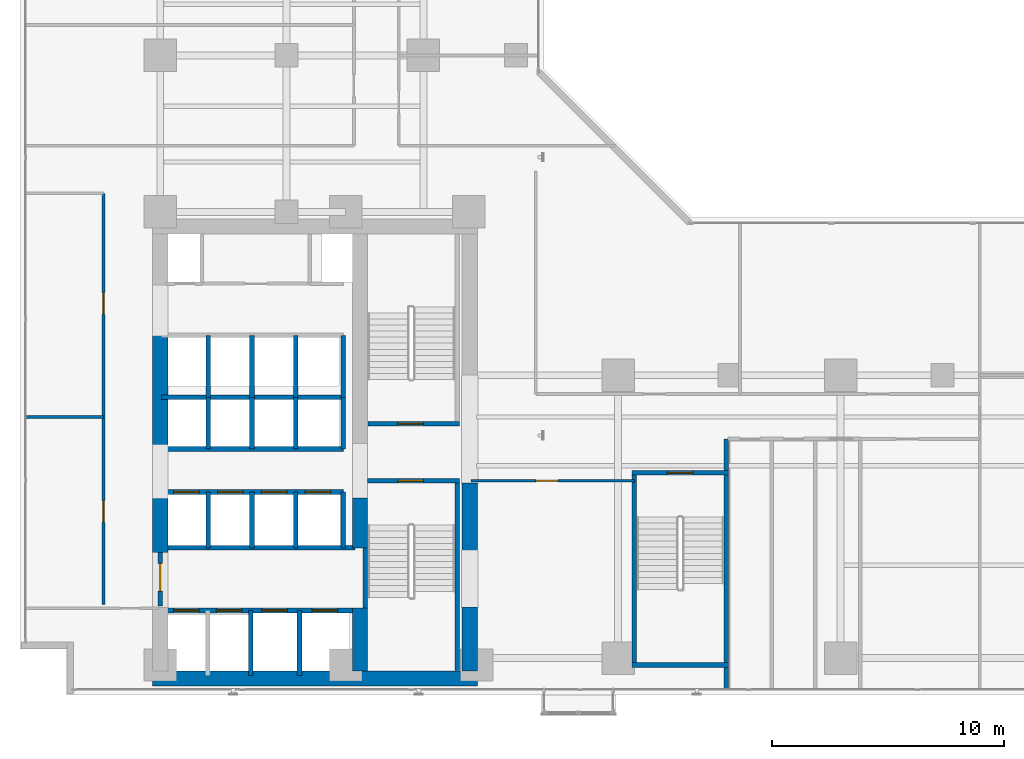
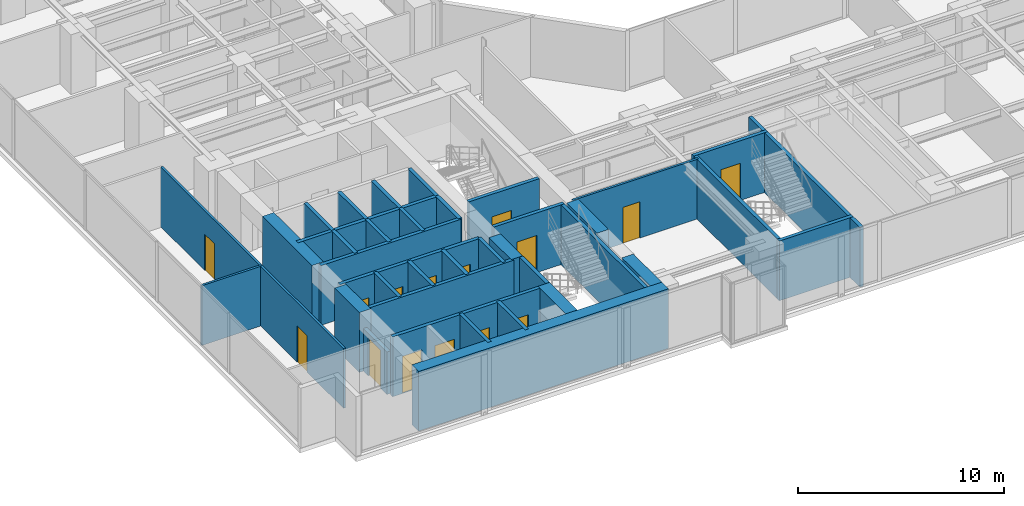
# One storey, part 19 of 24: 38 walls, 15 doors, 15 openings.
"""IFC4 building model written with IfcOpenShell, lengths in metres."""

from ifc_helpers import new_model, si_unit, direction, frame, frame_2d, origin, place, context, subcontext, project, spatial, rectangle, extrude, material, layer, layer_set, type_object, element, fill, save


model = new_model("IFC4")

# Units and contexts
model_context = context("Model", 3, precision=1e-05, world=origin(), true_north=direction((0.0, 1.0)))
body_context = subcontext(model_context, "Body", "Model", "MODEL_VIEW")
ifc_project = project(units=[si_unit("LENGTHUNIT", "METRE"), si_unit("AREAUNIT", "SQUARE_METRE"), si_unit("VOLUMEUNIT", "CUBIC_METRE"), si_unit("PLANEANGLEUNIT", "RADIAN"), si_unit("MASSUNIT", "GRAM", prefix="KILO")], contexts=[model_context])

# Site, building, storey
site_placement = place(None, origin())
site = spatial("IfcSite", under=ifc_project, at=site_placement, CompositionType="ELEMENT")
building_placement = place(site_placement, origin())
building = spatial("IfcBuilding", under=site, at=building_placement, Name="Kolvaren Waterfront Exchange", CompositionType="ELEMENT")
storey_placement = place(building_placement, frame((0.0, 0.0, 91.699951171875)))
storey = spatial("IfcBuildingStorey", under=building, at=storey_placement, Name="L23", CompositionType="ELEMENT", Elevation=91.699951171875)

# Wall, opening, door
ifc_material_1 = material(Name="Precast concrete C40/50", Category="concrete")
ifc_layer_1 = layer(ifc_material_1, 0.199951171875, Name="Precast concrete C40/50")
ifc_layer_set_1 = layer_set([ifc_layer_1], Name="Precast concrete C40/50")
wall_type_1 = type_object("IfcWallType", Name="ARC-FIRE-200", PredefinedType="PARTITIONING", material=ifc_layer_set_1)
wall_1_placement = place(storey_placement, frame((16.39990234375, 12.85009765625, 0.0), z_axis=(0.0, 0.0, 1.0), x_axis=(1.0, 0.0, 0.0)))
wall_1 = element("IfcWall", 1, at=wall_1_placement, inside=storey, type_object=wall_type_1, Name="L23 interior wall PW-L23-ST1-THROAT-S", PredefinedType="PARTITIONING", context=body_context, shape_type="SweptSolid", body=[
    extrude(rectangle(XDim=3.960205078125, YDim=0.199951171875, at=frame_2d((1.97998046875, 0.0))), origin(), (0.0, 0.0, 1.0), 3.5400390625),
])
opening_1_placement = place(wall_1_placement, frame((1.3037109375, 0.0, 0.0)))
opening_1 = element("IfcOpeningElement", 2, at=opening_1_placement, cuts=wall_1, Name="Opening FD2", PredefinedType="OPENING", context=body_context, shape_type="SweptSolid", body=[
    extrude(rectangle(XDim=1.10009765625, YDim=2.199951171875, at=frame_2d((0.550048828125, 1.10009765625))), frame((0.0, 0.10986328125, 0.0), z_axis=(0.0, -1.0, 0.0), x_axis=(1.0, 0.0, 0.0)), (0.0, 0.0, 1.0), 0.219970703125),
])
ifc_material_2 = material(Name="Pressed steel smoke-seal fire door", Category="steel")
door_type_1 = type_object("IfcDoorType", Name="ARC-FD-1100", OperationType="NOTDEFINED", PredefinedType="DOOR", material=ifc_material_2)
door_1_placement = place(opening_1_placement, frame((1.10009765625, 0.0, 0.0), z_axis=(0.0, 0.0, 1.0), x_axis=(-1.0, 0.0, 0.0)))
door_1 = element("IfcDoor", 3, at=door_1_placement, inside=storey, type_object=door_type_1, Name="L23 door DR-L23-ST1-IN (FD2)", OperationType="SINGLE_SWING_LEFT", OverallHeight=2.199951171875, OverallWidth=1.10009765625, PredefinedType="DOOR", context=body_context, shape_type="SweptSolid", body=[
    extrude(rectangle(XDim=1.10009765625, YDim=2.199951171875, at=frame_2d((0.550048828125, 1.10009765625))), frame((0.0, 0.02490234375, 0.0), z_axis=(0.0, -1.0, 0.0), x_axis=(1.0, 0.0, 0.0)), (0.0, 0.0, 1.0), 0.050048828125),
])
fill(opening_1, door_1)

wall_2_placement = place(storey_placement, frame((16.409912109375, 15.300048828125, 0.0), z_axis=(0.0, 0.0, 1.0), x_axis=(1.0, 0.0, 0.0)))
wall_2 = element("IfcWall", 4, at=wall_2_placement, inside=storey, type_object=wall_type_1, Name="L23 interior wall PW-L23-ST2-THROAT-N", PredefinedType="PARTITIONING", context=body_context, shape_type="SweptSolid", body=[
    extrude(rectangle(XDim=3.9501953125, YDim=0.199951171875, at=frame_2d((1.97509765625, 0.0))), origin(), (0.0, 0.0, 1.0), 3.5400390625),
])
opening_2_placement = place(wall_2_placement, frame((1.293701171875, 0.0, 0.0)))
opening_2 = element("IfcOpeningElement", 5, at=opening_2_placement, cuts=wall_2, Name="Opening FD2", PredefinedType="OPENING", context=body_context, shape_type="SweptSolid", body=[
    extrude(rectangle(XDim=1.10009765625, YDim=2.199951171875, at=frame_2d((0.550048828125, 1.10009765625))), frame((0.0, 0.10986328125, 0.0), z_axis=(0.0, -1.0, 0.0), x_axis=(1.0, 0.0, 0.0)), (0.0, 0.0, 1.0), 0.219970703125),
])
door_2_placement = place(opening_2_placement, origin())
door_2 = element("IfcDoor", 6, at=door_2_placement, inside=storey, type_object=door_type_1, Name="L23 door DR-L23-ST2-IN (FD2)", OperationType="SINGLE_SWING_RIGHT", OverallHeight=2.199951171875, OverallWidth=1.10009765625, PredefinedType="DOOR", context=body_context, shape_type="SweptSolid", body=[
    extrude(rectangle(XDim=1.10009765625, YDim=2.199951171875, at=frame_2d((0.550048828125, 1.10009765625))), frame((0.0, 0.02490234375, 0.0), z_axis=(0.0, -1.0, 0.0), x_axis=(1.0, 0.0, 0.0)), (0.0, 0.0, 1.0), 0.050048828125),
])
fill(opening_2, door_2)

# Wall
wall_3_placement = place(storey_placement, frame((7.5, 9.949951171875, 0.0), z_axis=(0.0, 0.0, 1.0), x_axis=(1.0, 0.0, 0.0)))
element("IfcWall", 7, at=wall_3_placement, inside=storey, type_object=wall_type_1, Name="L23 interior wall PW-L23-FF-N", PredefinedType="PARTITIONING", context=body_context, shape_type="SweptSolid", body=[
    extrude(rectangle(XDim=8.35009765625, YDim=0.199951171875, at=frame_2d((4.175048828125, 0.0))), origin(), (0.0, 0.0, 1.0), 3.5400390625),
])

# Wall, opening, door
wall_4_placement = place(storey_placement, frame((7.449951171875, 7.449951171875, 0.0), z_axis=(0.0, 0.0, 1.0), x_axis=(0.0, 1.0, 0.0)))
wall_4 = element("IfcWall", 8, at=wall_4_placement, inside=storey, type_object=wall_type_1, Name="L23 interior wall PW-L23-FF-W-DOOR", PredefinedType="PARTITIONING", context=body_context, shape_type="SweptSolid", body=[
    extrude(rectangle(XDim=2.300048828125, YDim=0.199951171875, at=frame_2d((1.14990234375, 0.0))), origin(), (0.0, 0.0, 1.0), 2.52001953125),
])
opening_3_placement = place(wall_4_placement, frame((0.63330078125, 0.0, 0.0)))
opening_3 = element("IfcOpeningElement", 9, at=opening_3_placement, cuts=wall_4, Name="Opening FD3", PredefinedType="OPENING", context=body_context, shape_type="SweptSolid", body=[
    extrude(rectangle(XDim=1.199951171875, YDim=2.25, at=frame_2d((0.60009765625, 1.125))), frame((0.0, 0.10986328125, 0.0), z_axis=(0.0, -1.0, 0.0), x_axis=(1.0, 0.0, 0.0)), (0.0, 0.0, 1.0), 0.219970703125),
])
ifc_material_3 = material(Name="Pressed steel fire door", Category="steel")
door_type_2 = type_object("IfcDoorType", Name="ARC-FD-1200", OperationType="NOTDEFINED", PredefinedType="DOOR", material=ifc_material_3)
door_3_placement = place(opening_3_placement, frame((1.199951171875, 0.0, 0.0), z_axis=(0.0, 0.0, 1.0), x_axis=(-1.0, 0.0, 0.0)))
door_3 = element("IfcDoor", 10, at=door_3_placement, inside=storey, type_object=door_type_2, Name="L23 door DR-L23-FF-OUT (FD3)", OperationType="SINGLE_SWING_RIGHT", OverallHeight=2.25, OverallWidth=1.199951171875, PredefinedType="DOOR", context=body_context, shape_type="SweptSolid", body=[
    extrude(rectangle(XDim=1.199951171875, YDim=2.25, at=frame_2d((0.60009765625, 1.125))), frame((0.0, 0.02490234375, 0.0), z_axis=(0.0, -1.0, 0.0), x_axis=(1.0, 0.0, 0.0)), (0.0, 0.0, 1.0), 0.050048828125),
])
fill(opening_3, door_3)

# Wall, openings, doors
ifc_material_4 = material(Name="Acoustic gypsum steel stud", Category="steel")
ifc_layer_2 = layer(ifc_material_4, 0.125, Name="Acoustic gypsum steel stud")
ifc_layer_set_2 = layer_set([ifc_layer_2], Name="Acoustic gypsum steel stud")
wall_type_2 = type_object("IfcWallType", Name="ARC-PART-125", PredefinedType="PARTITIONING", material=ifc_layer_set_2)
wall_5_placement = place(storey_placement, frame((5.0, 7.5, 0.0), z_axis=(0.0, 0.0, 1.0), x_axis=(0.0, 1.0, 0.0)))
wall_5 = element("IfcWall", 11, at=wall_5_placement, inside=storey, type_object=wall_type_2, Name="L23 interior wall PW-L23-WFLANK-E", PredefinedType="PARTITIONING", context=body_context, shape_type="SweptSolid", body=[
    extrude(rectangle(XDim=17.75, YDim=0.125, at=frame_2d((8.875, 0.0))), origin(), (0.0, 0.0, 1.0), 3.5400390625),
])
opening_4_placement = place(wall_5_placement, frame((3.550048828125, 0.0, 0.0)))
opening_4 = element("IfcOpeningElement", 12, at=opening_4_placement, cuts=wall_5, Name="Opening D02", PredefinedType="OPENING", context=body_context, shape_type="SweptSolid", body=[
    extrude(rectangle(XDim=0.949951171875, YDim=2.14990234375, at=frame_2d((0.47509765625, 1.074951171875))), frame((0.0, 0.072509765625, 0.0), z_axis=(0.0, -1.0, 0.0), x_axis=(1.0, 0.0, 0.0)), (0.0, 0.0, 1.0), 0.14501953125),
])
opening_5_placement = place(wall_5_placement, frame((12.52099609375, 0.0, 0.0)))
opening_5 = element("IfcOpeningElement", 13, at=opening_5_placement, cuts=wall_5, Name="Opening D02", PredefinedType="OPENING", context=body_context, shape_type="SweptSolid", body=[
    extrude(rectangle(XDim=0.949951171875, YDim=2.14990234375, at=frame_2d((0.47509765625, 1.074951171875))), frame((0.0, 0.072509765625, 0.0), z_axis=(0.0, -1.0, 0.0), x_axis=(1.0, 0.0, 0.0)), (0.0, 0.0, 1.0), 0.14501953125),
])
ifc_material_5 = material(Name="Oak veneer acoustic timber", Category="wood")
door_type_3 = type_object("IfcDoorType", Name="ARC-DR-950", OperationType="NOTDEFINED", PredefinedType="DOOR", material=ifc_material_5)
door_4_placement = place(opening_4_placement, origin())
door_4 = element("IfcDoor", 14, at=door_4_placement, inside=storey, type_object=door_type_3, Name="L23 door DR-L23-WFL1-D (D02)", OperationType="SINGLE_SWING_LEFT", OverallHeight=2.14990234375, OverallWidth=0.949951171875, PredefinedType="DOOR", context=body_context, shape_type="SweptSolid", body=[
    extrude(rectangle(XDim=0.949951171875, YDim=2.14990234375, at=frame_2d((0.47509765625, 1.074951171875))), frame((0.0, 0.02490234375, 0.0), z_axis=(0.0, -1.0, 0.0), x_axis=(1.0, 0.0, 0.0)), (0.0, 0.0, 1.0), 0.050048828125),
])
fill(opening_4, door_4)
door_5_placement = place(opening_5_placement, origin())
door_5 = element("IfcDoor", 15, at=door_5_placement, inside=storey, type_object=door_type_3, Name="L23 door DR-L23-WFL2-D (D02)", OperationType="SINGLE_SWING_RIGHT", OverallHeight=2.14990234375, OverallWidth=0.949951171875, PredefinedType="DOOR", context=body_context, shape_type="SweptSolid", body=[
    extrude(rectangle(XDim=0.949951171875, YDim=2.14990234375, at=frame_2d((0.47509765625, 1.074951171875))), frame((0.0, 0.02490234375, 0.0), z_axis=(0.0, -1.0, 0.0), x_axis=(1.0, 0.0, 0.0)), (0.0, 0.0, 1.0), 0.050048828125),
])
fill(opening_5, door_5)

# Wall
wall_6_placement = place(storey_placement, frame((1.639892578125, 15.60009765625, 0.0), z_axis=(0.0, 0.0, 1.0), x_axis=(1.0, 0.0, 0.0)))
element("IfcWall", 16, at=wall_6_placement, inside=storey, type_object=wall_type_2, Name="L23 interior wall PW-L23-WFLANK-MID", PredefinedType="PARTITIONING", context=body_context, shape_type="SweptSolid", body=[
    extrude(rectangle(XDim=3.360107421875, YDim=0.125, at=frame_2d((1.68017578125, 0.0))), origin(), (0.0, 0.0, 1.0), 3.5400390625),
])

# Wall, opening, door
wall_7_placement = place(storey_placement, frame((20.85009765625, 12.85009765625, 0.0), z_axis=(0.0, 0.0, 1.0), x_axis=(1.0, 0.0, 0.0)))
wall_7 = element("IfcWall", 17, at=wall_7_placement, inside=storey, type_object=wall_type_2, Name="L23 interior wall PW-L23-SWST3-N", PredefinedType="PARTITIONING", context=body_context, shape_type="SweptSolid", body=[
    extrude(rectangle(XDim=7.0498046875, YDim=0.125, at=frame_2d((3.52490234375, 0.0))), origin(), (0.0, 0.0, 1.0), 3.5400390625),
])
opening_6_placement = place(wall_7_placement, frame((2.800048828125, 0.0, 0.0)))
opening_6 = element("IfcOpeningElement", 18, at=opening_6_placement, cuts=wall_7, Name="Opening D02", PredefinedType="OPENING", context=body_context, shape_type="SweptSolid", body=[
    extrude(rectangle(XDim=0.949951171875, YDim=2.14990234375, at=frame_2d((0.47509765625, 1.074951171875))), frame((0.0, 0.072509765625, 0.0), z_axis=(0.0, -1.0, 0.0), x_axis=(1.0, 0.0, 0.0)), (0.0, 0.0, 1.0), 0.14501953125),
])
door_6_placement = place(opening_6_placement, origin())
door_6 = element("IfcDoor", 19, at=door_6_placement, inside=storey, type_object=door_type_3, Name="L23 door DR-L23-SWST3-D (D02)", OperationType="SINGLE_SWING_LEFT", OverallHeight=2.14990234375, OverallWidth=0.949951171875, PredefinedType="DOOR", context=body_context, shape_type="SweptSolid", body=[
    extrude(rectangle(XDim=0.949951171875, YDim=2.14990234375, at=frame_2d((0.47509765625, 1.074951171875))), frame((0.0, 0.02490234375, 0.0), z_axis=(0.0, -1.0, 0.0), x_axis=(1.0, 0.0, 0.0)), (0.0, 0.0, 1.0), 0.050048828125),
])
fill(opening_6, door_6)

# Walls
ifc_material_6 = material(Name="Concrete C40/50", Category="concrete")
ifc_layer_3 = layer(ifc_material_6, 0.199951171875, Name="Concrete C40/50")
ifc_layer_set_3 = layer_set([ifc_layer_3], Name="Concrete C40/50")
wall_type_3 = type_object("IfcWallType", Name="ARC-SHAFT-200", PredefinedType="PARTITIONING", material=ifc_layer_set_3)
wall_8_placement = place(storey_placement, frame((16.300048828125, 7.360107421875, 0.0), z_axis=(0.0, 0.0, 1.0), x_axis=(0.0, 1.0, 0.0)))
element("IfcWall", 20, at=wall_8_placement, inside=storey, type_object=wall_type_3, Name="L23 structural stairwell wall PW-L23-ST1-W", PredefinedType="SHEAR", context=body_context, shape_type="SweptSolid", body=[
    extrude(rectangle(XDim=2.579833984375, YDim=0.199951171875, at=frame_2d((1.2900390625, 0.0))), origin(), (0.0, 0.0, 1.0), 3.5400390625),
])
wall_9_placement = place(storey_placement, frame((20.260009765625, 4.659912109375, 0.0), z_axis=(0.0, 0.0, 1.0), x_axis=(0.0, 1.0, 0.0)))
element("IfcWall", 21, at=wall_9_placement, inside=storey, type_object=wall_type_3, Name="L23 structural stairwell wall PW-L23-ST1-E", PredefinedType="SHEAR", context=body_context, shape_type="SweptSolid", body=[
    extrude(rectangle(XDim=8.090087890625, YDim=0.199951171875, at=frame_2d((4.044921875, 0.0))), origin(), (0.0, 0.0, 1.0), 3.5400390625),
])
wall_10_placement = place(storey_placement, frame((27.89990234375, 5.0, 0.0), z_axis=(0.0, 0.0, 1.0), x_axis=(0.0, 1.0, 0.0)))
element("IfcWall", 22, at=wall_10_placement, inside=storey, type_object=wall_type_3, Name="L23 structural stairwell wall PW-L23-ST3-W", PredefinedType="SHEAR", context=body_context, shape_type="SweptSolid", body=[
    extrude(rectangle(XDim=8.10009765625, YDim=0.199951171875, at=frame_2d((4.050048828125, 0.0))), origin(), (0.0, 0.0, 1.0), 3.5400390625),
])
wall_11_placement = place(storey_placement, frame((31.860107421875, 3.840087890625, 0.0), z_axis=(0.0, 0.0, 1.0), x_axis=(0.0, 1.0, 0.0)))
element("IfcWall", 23, at=wall_11_placement, inside=storey, type_object=wall_type_3, Name="L23 structural stairwell wall PW-L23-ST3-E", PredefinedType="SHEAR", context=body_context, shape_type="SweptSolid", body=[
    extrude(rectangle(XDim=10.809814453125, YDim=0.199951171875, at=frame_2d((5.40478515625, 0.0))), origin(), (0.0, 0.0, 1.0), 3.5400390625),
])
wall_12_placement = place(storey_placement, frame((27.800048828125, 4.89990234375, 0.0), z_axis=(0.0, 0.0, 1.0), x_axis=(1.0, 0.0, 0.0)))
element("IfcWall", 24, at=wall_12_placement, inside=storey, type_object=wall_type_3, Name="L23 structural stairwell wall PW-L23-ST3-S", PredefinedType="SHEAR", context=body_context, shape_type="SweptSolid", body=[
    extrude(rectangle(XDim=4.159912109375, YDim=0.199951171875, at=frame_2d((2.080078125, 0.0))), origin(), (0.0, 0.0, 1.0), 3.5400390625),
])

# Wall, opening, door
wall_13_placement = place(storey_placement, frame((27.800048828125, 13.199951171875, 0.0), z_axis=(0.0, 0.0, 1.0), x_axis=(1.0, 0.0, 0.0)))
wall_13 = element("IfcWall", 25, at=wall_13_placement, inside=storey, type_object=wall_type_3, Name="L23 structural stairwell wall PW-L23-ST3-N", PredefinedType="SHEAR", context=body_context, shape_type="SweptSolid", body=[
    extrude(rectangle(XDim=4.159912109375, YDim=0.199951171875, at=frame_2d((2.080078125, 0.0))), origin(), (0.0, 0.0, 1.0), 3.5400390625),
])
opening_7_placement = place(wall_13_placement, frame((1.530029296875, 0.0, 0.0)))
opening_7 = element("IfcOpeningElement", 26, at=opening_7_placement, cuts=wall_13, Name="Opening FD2", PredefinedType="OPENING", context=body_context, shape_type="SweptSolid", body=[
    extrude(rectangle(XDim=1.10009765625, YDim=2.199951171875, at=frame_2d((0.550048828125, 1.10009765625))), frame((0.0, 0.10986328125, 0.0), z_axis=(0.0, -1.0, 0.0), x_axis=(1.0, 0.0, 0.0)), (0.0, 0.0, 1.0), 0.219970703125),
])
door_7_placement = place(opening_7_placement, frame((1.10009765625, 0.0, 0.0), z_axis=(0.0, 0.0, 1.0), x_axis=(-1.0, 0.0, 0.0)))
door_7 = element("IfcDoor", 27, at=door_7_placement, inside=storey, type_object=door_type_1, Name="L23 door DR-L23-ST3-IN (FD2)", OperationType="SINGLE_SWING_LEFT", OverallHeight=2.199951171875, OverallWidth=1.10009765625, PredefinedType="DOOR", context=body_context, shape_type="SweptSolid", body=[
    extrude(rectangle(XDim=1.10009765625, YDim=2.199951171875, at=frame_2d((0.550048828125, 1.10009765625))), frame((0.0, 0.02490234375, 0.0), z_axis=(0.0, -1.0, 0.0), x_axis=(1.0, 0.0, 0.0)), (0.0, 0.0, 1.0), 0.050048828125),
])
fill(opening_7, door_7)

# Wall, openings, doors
wall_14_placement = place(storey_placement, frame((7.5, 7.25, 0.0), z_axis=(0.0, 0.0, 1.0), x_axis=(1.0, 0.0, 0.0)))
wall_14 = element("IfcWall", 28, at=wall_14_placement, inside=storey, type_object=wall_type_3, Name="L23 interior wall PW-L23-FF-S", PredefinedType="PARTITIONING", context=body_context, shape_type="SweptSolid", body=[
    extrude(rectangle(XDim=8.35009765625, YDim=0.199951171875, at=frame_2d((4.175048828125, 0.0))), origin(), (0.0, 0.0, 1.0), 3.5400390625),
])
opening_8_placement = place(wall_14_placement, frame((0.530029296875, 0.0, 0.0)))
opening_8 = element("IfcOpeningElement", 29, at=opening_8_placement, cuts=wall_14, Name="Opening LD1", PredefinedType="OPENING", context=body_context, shape_type="SweptSolid", body=[
    extrude(rectangle(XDim=1.10009765625, YDim=2.199951171875, at=frame_2d((0.550048828125, 1.10009765625))), frame((0.0, 0.10986328125, 0.0), z_axis=(0.0, -1.0, 0.0), x_axis=(1.0, 0.0, 0.0)), (0.0, 0.0, 1.0), 0.219970703125),
])
opening_9_placement = place(wall_14_placement, frame((2.3701171875, 0.0, 0.0)))
opening_9 = element("IfcOpeningElement", 30, at=opening_9_placement, cuts=wall_14, Name="Opening LD1", PredefinedType="OPENING", context=body_context, shape_type="SweptSolid", body=[
    extrude(rectangle(XDim=1.10009765625, YDim=2.199951171875, at=frame_2d((0.550048828125, 1.10009765625))), frame((0.0, 0.10986328125, 0.0), z_axis=(0.0, -1.0, 0.0), x_axis=(1.0, 0.0, 0.0)), (0.0, 0.0, 1.0), 0.219970703125),
])
opening_10_placement = place(wall_14_placement, frame((4.330078125, 0.0, 0.0)))
opening_10 = element("IfcOpeningElement", 31, at=opening_10_placement, cuts=wall_14, Name="Opening LD1", PredefinedType="OPENING", context=body_context, shape_type="SweptSolid", body=[
    extrude(rectangle(XDim=1.10009765625, YDim=2.199951171875, at=frame_2d((0.550048828125, 1.10009765625))), frame((0.0, 0.10986328125, 0.0), z_axis=(0.0, -1.0, 0.0), x_axis=(1.0, 0.0, 0.0)), (0.0, 0.0, 1.0), 0.219970703125),
])
opening_11_placement = place(wall_14_placement, frame((6.5, 0.0, 0.0)))
opening_11 = element("IfcOpeningElement", 32, at=opening_11_placement, cuts=wall_14, Name="Opening LD1", PredefinedType="OPENING", context=body_context, shape_type="SweptSolid", body=[
    extrude(rectangle(XDim=1.10009765625, YDim=2.199951171875, at=frame_2d((0.550048828125, 1.10009765625))), frame((0.0, 0.10986328125, 0.0), z_axis=(0.0, -1.0, 0.0), x_axis=(1.0, 0.0, 0.0)), (0.0, 0.0, 1.0), 0.219970703125),
])
ifc_material_7 = material(Name="Stainless steel sliding landing door", Category="steel")
door_type_4 = type_object("IfcDoorType", Name="ARC-LD-FF", OperationType="SLIDING_TO_LEFT", PredefinedType="DOOR", material=ifc_material_7)
door_8_placement = place(opening_8_placement, origin())
door_8 = element("IfcDoor", 33, at=door_8_placement, inside=storey, type_object=door_type_4, Name="L23 door LD-L23-FFL1 (LD1)", OperationType="SLIDING_TO_LEFT", OverallHeight=2.199951171875, OverallWidth=1.10009765625, PredefinedType="DOOR", context=body_context, shape_type="SweptSolid", body=[
    extrude(rectangle(XDim=1.10009765625, YDim=2.199951171875, at=frame_2d((0.550048828125, 1.10009765625))), frame((0.0, 0.02490234375, 0.0), z_axis=(0.0, -1.0, 0.0), x_axis=(1.0, 0.0, 0.0)), (0.0, 0.0, 1.0), 0.050048828125),
])
fill(opening_8, door_8)
door_9_placement = place(opening_9_placement, origin())
door_9 = element("IfcDoor", 34, at=door_9_placement, inside=storey, type_object=door_type_4, Name="L23 door LD-L23-FFL2 (LD1)", OperationType="SLIDING_TO_LEFT", OverallHeight=2.199951171875, OverallWidth=1.10009765625, PredefinedType="DOOR", context=body_context, shape_type="SweptSolid", body=[
    extrude(rectangle(XDim=1.10009765625, YDim=2.199951171875, at=frame_2d((0.550048828125, 1.10009765625))), frame((0.0, 0.02490234375, 0.0), z_axis=(0.0, -1.0, 0.0), x_axis=(1.0, 0.0, 0.0)), (0.0, 0.0, 1.0), 0.050048828125),
])
fill(opening_9, door_9)
door_10_placement = place(opening_10_placement, origin())
door_10 = element("IfcDoor", 35, at=door_10_placement, inside=storey, type_object=door_type_4, Name="L23 door LD-L23-GL1 (LD1)", OperationType="SLIDING_TO_LEFT", OverallHeight=2.199951171875, OverallWidth=1.10009765625, PredefinedType="DOOR", context=body_context, shape_type="SweptSolid", body=[
    extrude(rectangle(XDim=1.10009765625, YDim=2.199951171875, at=frame_2d((0.550048828125, 1.10009765625))), frame((0.0, 0.02490234375, 0.0), z_axis=(0.0, -1.0, 0.0), x_axis=(1.0, 0.0, 0.0)), (0.0, 0.0, 1.0), 0.050048828125),
])
fill(opening_10, door_10)
door_11_placement = place(opening_11_placement, origin())
door_11 = element("IfcDoor", 36, at=door_11_placement, inside=storey, type_object=door_type_4, Name="L23 door LD-L23-GL2 (LD1)", OperationType="SLIDING_TO_LEFT", OverallHeight=2.199951171875, OverallWidth=1.10009765625, PredefinedType="DOOR", context=body_context, shape_type="SweptSolid", body=[
    extrude(rectangle(XDim=1.10009765625, YDim=2.199951171875, at=frame_2d((0.550048828125, 1.10009765625))), frame((0.0, 0.02490234375, 0.0), z_axis=(0.0, -1.0, 0.0), x_axis=(1.0, 0.0, 0.0)), (0.0, 0.0, 1.0), 0.050048828125),
])
fill(opening_11, door_11)

# Walls
for number, where, z_axis, x_axis, name in (
    (37, (11.360107421875, 4.449951171875, 0.0), (0.0, 0.0, 1.0), (0.0, 1.0, 0.0), "L23 interior wall PW-L23-SH1-DIV-113"),
    (38, (13.4599609375, 4.449951171875, 0.0), (0.0, 0.0, 1.0), (0.0, 1.0, 0.0), "L23 interior wall PW-L23-SH1-DIV-134"),
):
    element("IfcWall", number, at=place(storey_placement, frame(where, z_axis=z_axis, x_axis=x_axis)), inside=storey, type_object=wall_type_3, Name=name, PredefinedType="PARTITIONING", context=body_context, shape_type="SweptSolid", body=[
        extrude(rectangle(XDim=2.800048828125, YDim=0.199951171875, at=frame_2d((1.39990234375, 0.0))), origin(), (0.0, 0.0, 1.0), 3.5400390625),
    ])

# Wall, openings, doors
wall_15_placement = place(storey_placement, frame((7.5, 12.360107421875, 0.0), z_axis=(0.0, 0.0, 1.0), x_axis=(1.0, 0.0, 0.0)))
wall_15 = element("IfcWall", 39, at=wall_15_placement, inside=storey, type_object=wall_type_3, Name="L23 interior wall PW-L23-PL-N", PredefinedType="PARTITIONING", context=body_context, shape_type="SweptSolid", body=[
    extrude(rectangle(XDim=7.85009765625, YDim=0.199951171875, at=frame_2d((3.925048828125, 0.0))), origin(), (0.0, 0.0, 1.0), 3.5400390625),
])
opening_12_placement = place(wall_15_placement, frame((0.530029296875, 0.0, 0.0)))
opening_12 = element("IfcOpeningElement", 40, at=opening_12_placement, cuts=wall_15, Name="Opening LD2", PredefinedType="OPENING", context=body_context, shape_type="SweptSolid", body=[
    extrude(rectangle(XDim=1.10009765625, YDim=2.199951171875, at=frame_2d((0.550048828125, 1.10009765625))), frame((0.0, 0.10986328125, 0.0), z_axis=(0.0, -1.0, 0.0), x_axis=(1.0, 0.0, 0.0)), (0.0, 0.0, 1.0), 0.219970703125),
])
opening_13_placement = place(wall_15_placement, frame((2.419921875, 0.0, 0.0)))
opening_13 = element("IfcOpeningElement", 41, at=opening_13_placement, cuts=wall_15, Name="Opening LD2", PredefinedType="OPENING", context=body_context, shape_type="SweptSolid", body=[
    extrude(rectangle(XDim=1.10009765625, YDim=2.199951171875, at=frame_2d((0.550048828125, 1.10009765625))), frame((0.0, 0.10986328125, 0.0), z_axis=(0.0, -1.0, 0.0), x_axis=(1.0, 0.0, 0.0)), (0.0, 0.0, 1.0), 0.219970703125),
])
opening_14_placement = place(wall_15_placement, frame((4.31005859375, 0.0, 0.0)))
opening_14 = element("IfcOpeningElement", 42, at=opening_14_placement, cuts=wall_15, Name="Opening LD2", PredefinedType="OPENING", context=body_context, shape_type="SweptSolid", body=[
    extrude(rectangle(XDim=1.10009765625, YDim=2.199951171875, at=frame_2d((0.550048828125, 1.10009765625))), frame((0.0, 0.10986328125, 0.0), z_axis=(0.0, -1.0, 0.0), x_axis=(1.0, 0.0, 0.0)), (0.0, 0.0, 1.0), 0.219970703125),
])
opening_15_placement = place(wall_15_placement, frame((6.199951171875, 0.0, 0.0)))
opening_15 = element("IfcOpeningElement", 43, at=opening_15_placement, cuts=wall_15, Name="Opening LD2", PredefinedType="OPENING", context=body_context, shape_type="SweptSolid", body=[
    extrude(rectangle(XDim=1.10009765625, YDim=2.199951171875, at=frame_2d((0.550048828125, 1.10009765625))), frame((0.0, 0.10986328125, 0.0), z_axis=(0.0, -1.0, 0.0), x_axis=(1.0, 0.0, 0.0)), (0.0, 0.0, 1.0), 0.219970703125),
])
ifc_material_8 = material(Name="Brushed bronze sliding landing door", Category="aluminium")
door_type_5 = type_object("IfcDoorType", Name="ARC-LD-PAX", OperationType="SLIDING_TO_LEFT", PredefinedType="DOOR", material=ifc_material_8)
door_12_placement = place(opening_12_placement, origin())
door_12 = element("IfcDoor", 44, at=door_12_placement, inside=storey, type_object=door_type_5, Name="L23 door LD-L23-PL1 (LD2)", OperationType="SLIDING_TO_LEFT", OverallHeight=2.199951171875, OverallWidth=1.10009765625, PredefinedType="DOOR", context=body_context, shape_type="SweptSolid", body=[
    extrude(rectangle(XDim=1.10009765625, YDim=2.199951171875, at=frame_2d((0.550048828125, 1.10009765625))), frame((0.0, 0.02490234375, 0.0), z_axis=(0.0, -1.0, 0.0), x_axis=(1.0, 0.0, 0.0)), (0.0, 0.0, 1.0), 0.050048828125),
])
fill(opening_12, door_12)
door_13_placement = place(opening_13_placement, origin())
door_13 = element("IfcDoor", 45, at=door_13_placement, inside=storey, type_object=door_type_5, Name="L23 door LD-L23-PL2 (LD2)", OperationType="SLIDING_TO_LEFT", OverallHeight=2.199951171875, OverallWidth=1.10009765625, PredefinedType="DOOR", context=body_context, shape_type="SweptSolid", body=[
    extrude(rectangle(XDim=1.10009765625, YDim=2.199951171875, at=frame_2d((0.550048828125, 1.10009765625))), frame((0.0, 0.02490234375, 0.0), z_axis=(0.0, -1.0, 0.0), x_axis=(1.0, 0.0, 0.0)), (0.0, 0.0, 1.0), 0.050048828125),
])
fill(opening_13, door_13)
door_14_placement = place(opening_14_placement, origin())
door_14 = element("IfcDoor", 46, at=door_14_placement, inside=storey, type_object=door_type_5, Name="L23 door LD-L23-PL3 (LD2)", OperationType="SLIDING_TO_LEFT", OverallHeight=2.199951171875, OverallWidth=1.10009765625, PredefinedType="DOOR", context=body_context, shape_type="SweptSolid", body=[
    extrude(rectangle(XDim=1.10009765625, YDim=2.199951171875, at=frame_2d((0.550048828125, 1.10009765625))), frame((0.0, 0.02490234375, 0.0), z_axis=(0.0, -1.0, 0.0), x_axis=(1.0, 0.0, 0.0)), (0.0, 0.0, 1.0), 0.050048828125),
])
fill(opening_14, door_14)
door_15_placement = place(opening_15_placement, origin())
door_15 = element("IfcDoor", 47, at=door_15_placement, inside=storey, type_object=door_type_5, Name="L23 door LD-L23-PL4 (LD2)", OperationType="SLIDING_TO_LEFT", OverallHeight=2.199951171875, OverallWidth=1.10009765625, PredefinedType="DOOR", context=body_context, shape_type="SweptSolid", body=[
    extrude(rectangle(XDim=1.10009765625, YDim=2.199951171875, at=frame_2d((0.550048828125, 1.10009765625))), frame((0.0, 0.02490234375, 0.0), z_axis=(0.0, -1.0, 0.0), x_axis=(1.0, 0.0, 0.0)), (0.0, 0.0, 1.0), 0.050048828125),
])
fill(opening_15, door_15)

# Walls
for number, where, z_axis, x_axis, name in (
    (48, (15.35009765625, 9.949951171875, 0.0), (0.0, 0.0, 1.0), (0.0, 1.0, 0.0), "L23 interior wall PW-L23-PL-E"),
    (49, (9.52001953125, 9.949951171875, 0.0), (0.0, 0.0, 1.0), (0.0, 1.0, 0.0), "L23 interior wall PW-L23-SH2-DIV-95"),
    (50, (11.409912109375, 9.949951171875, 0.0), (0.0, 0.0, 1.0), (0.0, 1.0, 0.0), "L23 interior wall PW-L23-SH2-DIV-114"),
    (51, (13.300048828125, 9.949951171875, 0.0), (0.0, 0.0, 1.0), (0.0, 1.0, 0.0), "L23 interior wall PW-L23-SH2-DIV-133"),
):
    element("IfcWall", number, at=place(storey_placement, frame(where, z_axis=z_axis, x_axis=x_axis)), inside=storey, type_object=wall_type_3, Name=name, PredefinedType="PARTITIONING", context=body_context, shape_type="SweptSolid", body=[
        extrude(rectangle(XDim=2.41015625, YDim=0.199951171875, at=frame_2d((1.205078125, 0.0))), origin(), (0.0, 0.0, 1.0), 3.5400390625),
    ])
for number, where, z_axis, x_axis, name in (
    (52, (7.5, 14.219970703125, 0.0), (0.0, 0.0, 1.0), (1.0, 0.0, 0.0), "L23 interior wall PW-L23-PM-S"),
    (53, (7.5, 16.449951171875, 0.0), (0.0, 0.0, 1.0), (1.0, 0.0, 0.0), "L23 interior wall PW-L23-PM-N"),
):
    element("IfcWall", number, at=place(storey_placement, frame(where, z_axis=z_axis, x_axis=x_axis)), inside=storey, type_object=wall_type_3, Name=name, PredefinedType="PARTITIONING", context=body_context, shape_type="SweptSolid", body=[
        extrude(rectangle(XDim=7.85009765625, YDim=0.199951171875, at=frame_2d((3.925048828125, 0.0))), origin(), (0.0, 0.0, 1.0), 3.5400390625),
    ])
for number, where, z_axis, x_axis, name in (
    (54, (15.35009765625, 14.219970703125, 0.0), (0.0, 0.0, 1.0), (0.0, 1.0, 0.0), "L23 interior wall PW-L23-PM-E"),
    (55, (9.52001953125, 14.219970703125, 0.0), (0.0, 0.0, 1.0), (0.0, 1.0, 0.0), "L23 interior wall PW-L23-SH3-DIV-95"),
    (56, (11.409912109375, 14.219970703125, 0.0), (0.0, 0.0, 1.0), (0.0, 1.0, 0.0), "L23 interior wall PW-L23-SH3-DIV-114"),
    (57, (13.300048828125, 14.219970703125, 0.0), (0.0, 0.0, 1.0), (0.0, 1.0, 0.0), "L23 interior wall PW-L23-SH3-DIV-133"),
):
    element("IfcWall", number, at=place(storey_placement, frame(where, z_axis=z_axis, x_axis=x_axis)), inside=storey, type_object=wall_type_3, Name=name, PredefinedType="PARTITIONING", context=body_context, shape_type="SweptSolid", body=[
        extrude(rectangle(XDim=2.22998046875, YDim=0.199951171875, at=frame_2d((1.114990234375, 0.0))), origin(), (0.0, 0.0, 1.0), 3.5400390625),
    ])
for number, where, z_axis, x_axis, name in (
    (58, (15.35009765625, 16.449951171875, 0.0), (0.0, 0.0, 1.0), (0.0, 1.0, 0.0), "L23 interior wall PW-L23-PH-E"),
    (59, (9.52001953125, 16.449951171875, 0.0), (0.0, 0.0, 1.0), (0.0, 1.0, 0.0), "L23 interior wall PW-L23-SH4-DIV-95"),
    (60, (11.409912109375, 16.449951171875, 0.0), (0.0, 0.0, 1.0), (0.0, 1.0, 0.0), "L23 interior wall PW-L23-SH4-DIV-114"),
    (61, (13.300048828125, 16.449951171875, 0.0), (0.0, 0.0, 1.0), (0.0, 1.0, 0.0), "L23 interior wall PW-L23-SH4-DIV-133"),
):
    element("IfcWall", number, at=place(storey_placement, frame(where, z_axis=z_axis, x_axis=x_axis)), inside=storey, type_object=wall_type_3, Name=name, PredefinedType="PARTITIONING", context=body_context, shape_type="SweptSolid", body=[
        extrude(rectangle(XDim=2.670166015625, YDim=0.199951171875, at=frame_2d((1.3349609375, 0.0))), origin(), (0.0, 0.0, 1.0), 3.5400390625),
    ])
ifc_material_9 = material(Name="Concrete C60/75", Category="concrete")
ifc_layer_4 = layer(ifc_material_9, 0.64990234375, Name="Concrete C60/75")
ifc_layer_set_4 = layer_set([ifc_layer_4], Name="Concrete C60/75")
wall_type_4 = type_object("IfcWallType", Name="STR-CWALL-650", PredefinedType="SHEAR", material=ifc_layer_set_4)
wall_16_placement = place(storey_placement, frame((7.125, 4.324951171875, 0.0), z_axis=(0.0, 0.0, 1.0), x_axis=(1.0, 0.0, 0.0)))
element("IfcWall", 62, at=wall_16_placement, inside=storey, type_object=wall_type_4, Name="L23 rear-core shear wall S", PredefinedType="SHEAR", context=body_context, shape_type="SweptSolid", body=[
    extrude(rectangle(XDim=14.0, YDim=0.64990234375, at=frame_2d((7.0, 0.0))), origin(), (0.0, 0.0, 1.0), 3.5400390625),
])
wall_17_placement = place(storey_placement, frame((7.449951171875, 9.75, 0.0), z_axis=(0.0, 0.0, 1.0), x_axis=(0.0, 1.0, 0.0)))
element("IfcWall", 63, at=wall_17_placement, inside=storey, type_object=wall_type_4, Name="L23 rear-core shear wall W2A", PredefinedType="SHEAR", context=body_context, shape_type="SweptSolid", body=[
    extrude(rectangle(XDim=2.39990234375, YDim=0.64990234375, at=frame_2d((1.199951171875, 0.0))), origin(), (0.0, 0.0, 1.0), 3.5400390625),
])
wall_18_placement = place(storey_placement, frame((7.449951171875, 14.35009765625, 0.0), z_axis=(0.0, 0.0, 1.0), x_axis=(0.0, 1.0, 0.0)))
element("IfcWall", 64, at=wall_18_placement, inside=storey, type_object=wall_type_4, Name="L23 rear-core shear wall W2B", PredefinedType="SHEAR", context=body_context, shape_type="SweptSolid", body=[
    extrude(rectangle(XDim=4.809814453125, YDim=0.64990234375, at=frame_2d((2.40478515625, 0.0))), origin(), (0.0, 0.0, 1.0), 3.5400390625),
])
wall_19_placement = place(storey_placement, frame((20.800048828125, 4.64990234375, 0.0), z_axis=(0.0, 0.0, 1.0), x_axis=(0.0, 1.0, 0.0)))
element("IfcWall", 65, at=wall_19_placement, inside=storey, type_object=wall_type_4, Name="L23 rear-core shear wall E1", PredefinedType="SHEAR", context=body_context, shape_type="SweptSolid", body=[
    extrude(rectangle(XDim=2.75, YDim=0.64990234375, at=frame_2d((1.375, 0.0))), origin(), (0.0, 0.0, 1.0), 3.5400390625),
])
wall_20_placement = place(storey_placement, frame((20.800048828125, 9.800048828125, 0.0), z_axis=(0.0, 0.0, 1.0), x_axis=(0.0, 1.0, 0.0)))
element("IfcWall", 66, at=wall_20_placement, inside=storey, type_object=wall_type_4, Name="L23 rear-core shear wall E2", PredefinedType="SHEAR", context=body_context, shape_type="SweptSolid", body=[
    extrude(rectangle(XDim=2.949951171875, YDim=0.64990234375, at=frame_2d((1.47509765625, 0.0))), origin(), (0.0, 0.0, 1.0), 3.5400390625),
])
wall_21_placement = place(storey_placement, frame((16.074951171875, 4.64990234375, 0.0), z_axis=(0.0, 0.0, 1.0), x_axis=(0.0, 1.0, 0.0)))
element("IfcWall", 67, at=wall_21_placement, inside=storey, type_object=wall_type_4, Name="L23 rear-core shear wall M1", PredefinedType="SHEAR", context=body_context, shape_type="SweptSolid", body=[
    extrude(rectangle(XDim=2.7001953125, YDim=0.64990234375, at=frame_2d((1.35009765625, 0.0))), origin(), (0.0, 0.0, 1.0), 3.5400390625),
])
wall_22_placement = place(storey_placement, frame((16.074951171875, 9.949951171875, 0.0), z_axis=(0.0, 0.0, 1.0), x_axis=(0.0, 1.0, 0.0)))
element("IfcWall", 68, at=wall_22_placement, inside=storey, type_object=wall_type_4, Name="L23 rear-core shear wall M2", PredefinedType="SHEAR", context=body_context, shape_type="SweptSolid", body=[
    extrude(rectangle(XDim=2.150146484375, YDim=0.64990234375, at=frame_2d((1.0751953125, 0.0))), origin(), (0.0, 0.0, 1.0), 3.5400390625),
])

save(model, "model.ifc")
